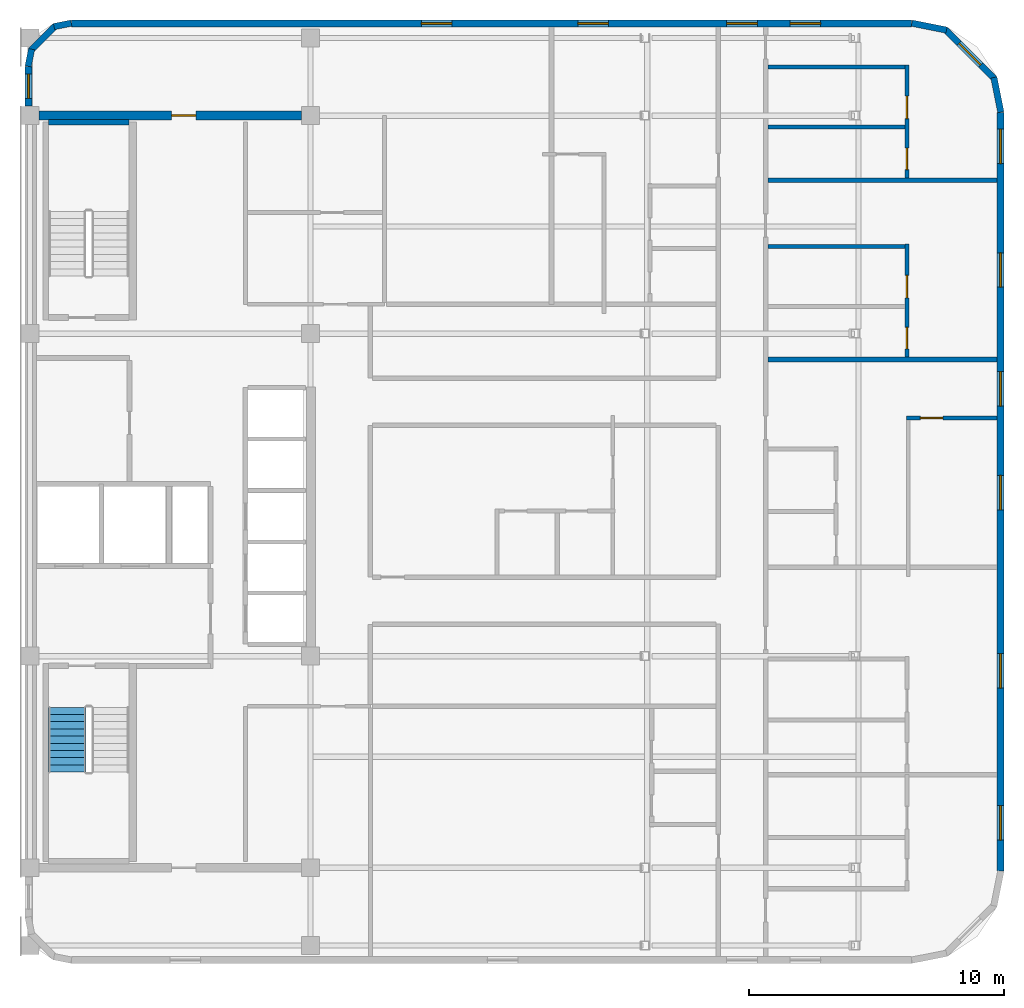
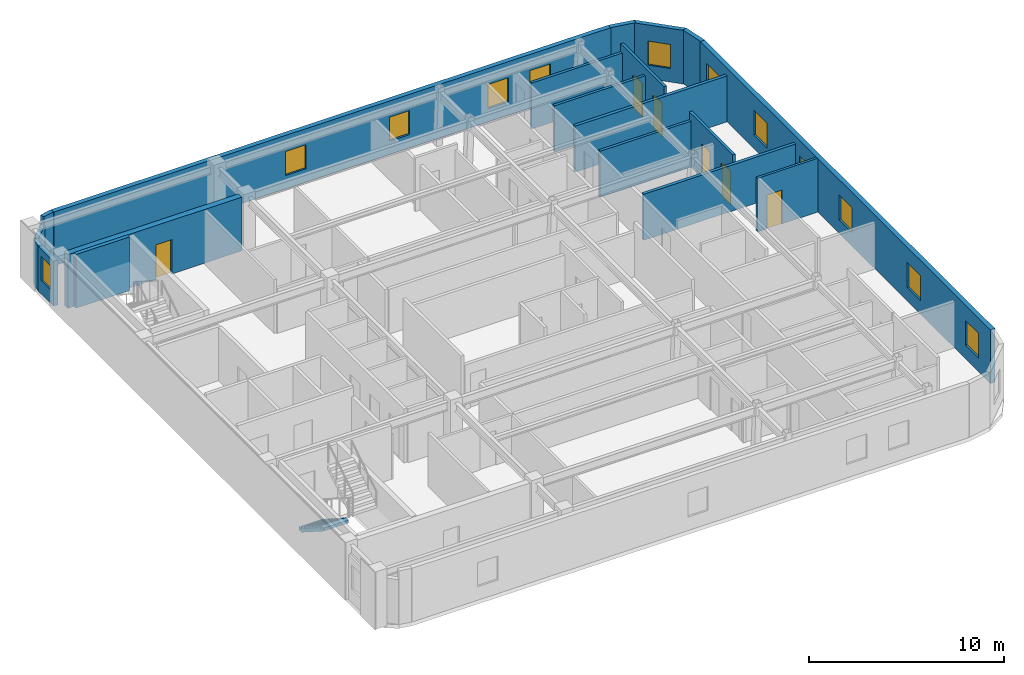
# One storey, part 5 of 7: 19 walls, 12 windows, 6 doors, 1 stair flight, 18 openings, 1 element without a shape of its own.
"""IFC4 building model written with IfcOpenShell, lengths in metres."""

from ifc_helpers import new_model, si_unit, direction, frame, frame_2d, origin, place, context, subcontext, project, spatial, polyline, rectangle, outline, extrude, material, layer, layer_set, type_object, element, fill, aggregate, save


model = new_model("IFC4")

# Units and contexts
model_context = context("Model", 3, precision=1e-05, world=origin(), true_north=direction((0.0, 1.0)))
body_context = subcontext(model_context, "Body", "Model", "MODEL_VIEW")
ifc_project = project(units=[si_unit("LENGTHUNIT", "METRE"), si_unit("AREAUNIT", "SQUARE_METRE"), si_unit("VOLUMEUNIT", "CUBIC_METRE"), si_unit("PLANEANGLEUNIT", "RADIAN"), si_unit("MASSUNIT", "GRAM", prefix="KILO")], contexts=[model_context])

# Site, building, storey
site_placement = place(None, origin())
site = spatial("IfcSite", under=ifc_project, at=site_placement, CompositionType="ELEMENT")
building_placement = place(site_placement, origin())
building = spatial("IfcBuilding", under=site, at=building_placement, Name="Ochreholt Gables", CompositionType="ELEMENT")
storey_placement = place(building_placement, frame((0.0, 0.0, 238.800048828125)))
storey = spatial("IfcBuildingStorey", under=building, at=storey_placement, Name="L62", CompositionType="ELEMENT", Elevation=238.800048828125)

# Wall, opening, door
ifc_material_1 = material(Name="Concrete 50 MPa", Category="concrete")
ifc_layer_1 = layer(ifc_material_1, 0.35009765625, Name="Concrete 50 MPa")
ifc_layer_set_1 = layer_set([ifc_layer_1], Name="Concrete 50 MPa")
wall_type_1 = type_object("IfcWallType", Name="WALL-CSW-350", PredefinedType="SHEAR", material=ifc_layer_set_1)
wall_1_placement = place(storey_placement, frame((24.550048828125, 38.75, 0.0), z_axis=(0.0, 0.0, 1.0), x_axis=(1.0, 0.0, 0.0)))
wall_1 = element("IfcWall", 1, at=wall_1_placement, inside=storey, type_object=wall_type_1, Name="L62 Core North Shear Wall", PredefinedType="SHEAR", context=body_context, shape_type="SweptSolid", body=[
    extrude(rectangle(XDim=10.300048828125, YDim=0.35009765625, at=frame_2d((5.14990234375, 0.0))), origin(), (0.0, 0.0, 1.0), 3.35986328125),
])
opening_1_placement = place(wall_1_placement, frame((5.199951171875, 0.0, 0.0)))
opening_1 = element("IfcOpeningElement", 2, at=opening_1_placement, cuts=wall_1, Name="Opening D-FL2", PredefinedType="OPENING", context=body_context, shape_type="SweptSolid", body=[
    extrude(rectangle(XDim=0.949951171875, YDim=2.14990234375, at=frame_2d((0.47509765625, 1.074951171875))), frame((0.0, 0.18505859375, 0.0), z_axis=(0.0, -1.0, 0.0), x_axis=(1.0, 0.0, 0.0)), (0.0, 0.0, 1.0), 0.3701171875),
])
ifc_material_2 = material(Name="Hollow Metal Steel", Category="steel")
door_type_1 = type_object("IfcDoorType", Name="DR-INT-FLB950", OperationType="NOTDEFINED", PredefinedType="DOOR", material=ifc_material_2)
door_1_placement = place(opening_1_placement, origin())
door_1 = element("IfcDoor", 3, at=door_1_placement, inside=storey, type_object=door_type_1, Name="L62 Door D-C3NSR-L62", OperationType="SINGLE_SWING_RIGHT", OverallHeight=2.14990234375, OverallWidth=0.949951171875, PredefinedType="DOOR", context=body_context, shape_type="SweptSolid", body=[
    extrude(rectangle(XDim=0.949951171875, YDim=2.14990234375, at=frame_2d((0.47509765625, 1.074951171875))), frame((0.0, 0.02490234375, 0.0), z_axis=(0.0, -1.0, 0.0), x_axis=(1.0, 0.0, 0.0)), (0.0, 0.0, 1.0), 0.050048828125),
])
fill(opening_1, door_1)

# Wall, openings, windows
ifc_material_3 = material(Name="Precast concrete 40 MPa", Category="concrete")
ifc_layer_2 = layer(ifc_material_3, 0.27001953125, Name="Precast concrete 40 MPa")
ifc_layer_set_2 = layer_set([ifc_layer_2], Name="Precast concrete 40 MPa")
wall_type_2 = type_object("IfcWallType", Name="WALL-EXT-270", PredefinedType="SOLIDWALL", material=ifc_layer_set_2)
wall_2_placement = place(storey_placement, frame((62.264892578125, 9.1201171875, 0.0), z_axis=(0.0, 0.0, 1.0), x_axis=(0.0, 1.0, 0.0)))
wall_2 = element("IfcWall", 4, at=wall_2_placement, inside=storey, type_object=wall_type_2, Name="L62 East Exterior Wall", PredefinedType="SOLIDWALL", context=body_context, shape_type="SweptSolid", body=[
    extrude(rectangle(XDim=29.759765625, YDim=0.27001953125, at=frame_2d((14.8798828125, 0.0))), origin(), (0.0, 0.0, 1.0), 3.35986328125),
])
opening_2_placement = place(wall_2_placement, frame((1.215087890625, 0.0, 0.85009765625)))
opening_2 = element("IfcOpeningElement", 5, at=opening_2_placement, cuts=wall_2, Name="Opening WN-8", PredefinedType="OPENING", context=body_context, shape_type="SweptSolid", body=[
    extrude(rectangle(XDim=1.35009765625, YDim=1.550048828125, at=frame_2d((0.675048828125, 0.77490234375))), frame((0.0, 0.14501953125, 0.0), z_axis=(0.0, -1.0, 0.0), x_axis=(1.0, 0.0, 0.0)), (0.0, 0.0, 1.0), 0.2900390625),
])
opening_3_placement = place(wall_2_placement, frame((7.175048828125, 0.0, 0.85009765625)))
opening_3 = element("IfcOpeningElement", 6, at=opening_3_placement, cuts=wall_2, Name="Opening WN-8", PredefinedType="OPENING", context=body_context, shape_type="SweptSolid", body=[
    extrude(rectangle(XDim=1.35009765625, YDim=1.550048828125, at=frame_2d((0.675048828125, 0.77490234375))), frame((0.0, 0.14501953125, 0.0), z_axis=(0.0, -1.0, 0.0), x_axis=(1.0, 0.0, 0.0)), (0.0, 0.0, 1.0), 0.2900390625),
])
opening_4_placement = place(wall_2_placement, frame((14.169921875, 0.0, 0.85009765625)))
opening_4 = element("IfcOpeningElement", 7, at=opening_4_placement, cuts=wall_2, Name="Opening WN-8", PredefinedType="OPENING", context=body_context, shape_type="SweptSolid", body=[
    extrude(rectangle(XDim=1.35009765625, YDim=1.550048828125, at=frame_2d((0.675048828125, 0.77490234375))), frame((0.0, 0.14501953125, 0.0), z_axis=(0.0, -1.0, 0.0), x_axis=(1.0, 0.0, 0.0)), (0.0, 0.0, 1.0), 0.2900390625),
])
opening_5_placement = place(wall_2_placement, frame((18.239990234375, 0.0, 0.85009765625)))
opening_5 = element("IfcOpeningElement", 8, at=opening_5_placement, cuts=wall_2, Name="Opening WN-8", PredefinedType="OPENING", context=body_context, shape_type="SweptSolid", body=[
    extrude(rectangle(XDim=1.35009765625, YDim=1.550048828125, at=frame_2d((0.675048828125, 0.77490234375))), frame((0.0, 0.14501953125, 0.0), z_axis=(0.0, -1.0, 0.0), x_axis=(1.0, 0.0, 0.0)), (0.0, 0.0, 1.0), 0.2900390625),
])
opening_6_placement = place(wall_2_placement, frame((22.89990234375, 0.0, 0.85009765625)))
opening_6 = element("IfcOpeningElement", 9, at=opening_6_placement, cuts=wall_2, Name="Opening WN-8", PredefinedType="OPENING", context=body_context, shape_type="SweptSolid", body=[
    extrude(rectangle(XDim=1.35009765625, YDim=1.550048828125, at=frame_2d((0.675048828125, 0.77490234375))), frame((0.0, 0.14501953125, 0.0), z_axis=(0.0, -1.0, 0.0), x_axis=(1.0, 0.0, 0.0)), (0.0, 0.0, 1.0), 0.2900390625),
])
opening_7_placement = place(wall_2_placement, frame((27.75, 0.0, 0.85009765625)))
opening_7 = element("IfcOpeningElement", 10, at=opening_7_placement, cuts=wall_2, Name="Opening WN-8", PredefinedType="OPENING", context=body_context, shape_type="SweptSolid", body=[
    extrude(rectangle(XDim=1.35009765625, YDim=1.550048828125, at=frame_2d((0.675048828125, 0.77490234375))), frame((0.0, 0.14501953125, 0.0), z_axis=(0.0, -1.0, 0.0), x_axis=(1.0, 0.0, 0.0)), (0.0, 0.0, 1.0), 0.2900390625),
])
ifc_material_4 = material(Name="Triple-Glazed Thermally Broken Aluminium Window", Category="aluminium")
window_type_1 = type_object("IfcWindowType", Name="WIN-RES-1350", PartitioningType="SINGLE_PANEL", PredefinedType="WINDOW", material=ifc_material_4)
window_1_placement = place(opening_2_placement, origin())
window_1 = element("IfcWindow", 11, at=window_1_placement, inside=storey, type_object=window_type_1, Name="L62 Window W-EXT-E-L62-1", OverallHeight=1.550048828125, OverallWidth=1.35009765625, PartitioningType="SINGLE_PANEL", PredefinedType="WINDOW", context=body_context, shape_type="SweptSolid", body=[
    extrude(rectangle(XDim=1.35009765625, YDim=1.550048828125, at=frame_2d((0.675048828125, 0.77490234375))), frame((0.0, 0.030029296875, 0.0), z_axis=(0.0, -1.0, 0.0), x_axis=(1.0, 0.0, 0.0)), (0.0, 0.0, 1.0), 0.06005859375),
])
fill(opening_2, window_1)
window_2_placement = place(opening_3_placement, origin())
window_2 = element("IfcWindow", 12, at=window_2_placement, inside=storey, type_object=window_type_1, Name="L62 Window W-EXT-E-L62-2", OverallHeight=1.550048828125, OverallWidth=1.35009765625, PartitioningType="SINGLE_PANEL", PredefinedType="WINDOW", context=body_context, shape_type="SweptSolid", body=[
    extrude(rectangle(XDim=1.35009765625, YDim=1.550048828125, at=frame_2d((0.675048828125, 0.77490234375))), frame((0.0, 0.030029296875, 0.0), z_axis=(0.0, -1.0, 0.0), x_axis=(1.0, 0.0, 0.0)), (0.0, 0.0, 1.0), 0.06005859375),
])
fill(opening_3, window_2)
window_3_placement = place(opening_4_placement, origin())
window_3 = element("IfcWindow", 13, at=window_3_placement, inside=storey, type_object=window_type_1, Name="L62 Window W-EXT-E-L62-3", OverallHeight=1.550048828125, OverallWidth=1.35009765625, PartitioningType="SINGLE_PANEL", PredefinedType="WINDOW", context=body_context, shape_type="SweptSolid", body=[
    extrude(rectangle(XDim=1.35009765625, YDim=1.550048828125, at=frame_2d((0.675048828125, 0.77490234375))), frame((0.0, 0.030029296875, 0.0), z_axis=(0.0, -1.0, 0.0), x_axis=(1.0, 0.0, 0.0)), (0.0, 0.0, 1.0), 0.06005859375),
])
fill(opening_4, window_3)
window_4_placement = place(opening_5_placement, origin())
window_4 = element("IfcWindow", 14, at=window_4_placement, inside=storey, type_object=window_type_1, Name="L62 Window W-EXT-E-L62-4", OverallHeight=1.550048828125, OverallWidth=1.35009765625, PartitioningType="SINGLE_PANEL", PredefinedType="WINDOW", context=body_context, shape_type="SweptSolid", body=[
    extrude(rectangle(XDim=1.35009765625, YDim=1.550048828125, at=frame_2d((0.675048828125, 0.77490234375))), frame((0.0, 0.030029296875, 0.0), z_axis=(0.0, -1.0, 0.0), x_axis=(1.0, 0.0, 0.0)), (0.0, 0.0, 1.0), 0.06005859375),
])
fill(opening_5, window_4)
window_5_placement = place(opening_6_placement, origin())
window_5 = element("IfcWindow", 15, at=window_5_placement, inside=storey, type_object=window_type_1, Name="L62 Window W-EXT-E-L62-5", OverallHeight=1.550048828125, OverallWidth=1.35009765625, PartitioningType="SINGLE_PANEL", PredefinedType="WINDOW", context=body_context, shape_type="SweptSolid", body=[
    extrude(rectangle(XDim=1.35009765625, YDim=1.550048828125, at=frame_2d((0.675048828125, 0.77490234375))), frame((0.0, 0.030029296875, 0.0), z_axis=(0.0, -1.0, 0.0), x_axis=(1.0, 0.0, 0.0)), (0.0, 0.0, 1.0), 0.06005859375),
])
fill(opening_6, window_5)
window_6_placement = place(opening_7_placement, origin())
window_6 = element("IfcWindow", 16, at=window_6_placement, inside=storey, type_object=window_type_1, Name="L62 Window W-EXT-E-L62-6", OverallHeight=1.550048828125, OverallWidth=1.35009765625, PartitioningType="SINGLE_PANEL", PredefinedType="WINDOW", context=body_context, shape_type="SweptSolid", body=[
    extrude(rectangle(XDim=1.35009765625, YDim=1.550048828125, at=frame_2d((0.675048828125, 0.77490234375))), frame((0.0, 0.030029296875, 0.0), z_axis=(0.0, -1.0, 0.0), x_axis=(1.0, 0.0, 0.0)), (0.0, 0.0, 1.0), 0.06005859375),
])
fill(opening_7, window_6)

wall_3_placement = place(storey_placement, frame((58.780029296875, 42.364990234375, 0.0), z_axis=(0.0, 0.0, 1.0), x_axis=(-1.0, 0.0, 0.0)))
wall_3 = element("IfcWall", 17, at=wall_3_placement, inside=storey, type_object=wall_type_2, Name="L62 North Exterior Wall", PredefinedType="SOLIDWALL", context=body_context, shape_type="SweptSolid", body=[
    extrude(rectangle(XDim=32.9599609375, YDim=0.27001953125, at=frame_2d((16.47998046875, 0.0))), origin(), (0.0, 0.0, 1.0), 3.35986328125),
])
opening_8_placement = place(wall_3_placement, frame((18.034912109375, 0.0, 0.85009765625)))
opening_8 = element("IfcOpeningElement", 18, at=opening_8_placement, cuts=wall_3, Name="Opening WN-3", PredefinedType="OPENING", context=body_context, shape_type="SweptSolid", body=[
    extrude(rectangle(XDim=1.199951171875, YDim=1.5, at=frame_2d((0.60009765625, 0.75))), frame((0.0, 0.14501953125, 0.0), z_axis=(0.0, -1.0, 0.0), x_axis=(1.0, 0.0, 0.0)), (0.0, 0.0, 1.0), 0.2900390625),
])
opening_9_placement = place(wall_3_placement, frame((11.896484375, 0.0, 0.85009765625)))
opening_9 = element("IfcOpeningElement", 19, at=opening_9_placement, cuts=wall_3, Name="Opening WN-3", PredefinedType="OPENING", context=body_context, shape_type="SweptSolid", body=[
    extrude(rectangle(XDim=1.199951171875, YDim=1.5, at=frame_2d((0.60009765625, 0.75))), frame((0.0, 0.14501953125, 0.0), z_axis=(0.0, -1.0, 0.0), x_axis=(1.0, 0.0, 0.0)), (0.0, 0.0, 1.0), 0.2900390625),
])
opening_10_placement = place(wall_3_placement, frame((6.054931640625, 0.0, 0.85009765625)))
opening_10 = element("IfcOpeningElement", 20, at=opening_10_placement, cuts=wall_3, Name="Opening WN-3", PredefinedType="OPENING", context=body_context, shape_type="SweptSolid", body=[
    extrude(rectangle(XDim=1.199951171875, YDim=1.5, at=frame_2d((0.60009765625, 0.75))), frame((0.0, 0.14501953125, 0.0), z_axis=(0.0, -1.0, 0.0), x_axis=(1.0, 0.0, 0.0)), (0.0, 0.0, 1.0), 0.2900390625),
])
opening_11_placement = place(wall_3_placement, frame((3.569091796875, 0.0, 0.85009765625)))
opening_11 = element("IfcOpeningElement", 21, at=opening_11_placement, cuts=wall_3, Name="Opening WN-3", PredefinedType="OPENING", context=body_context, shape_type="SweptSolid", body=[
    extrude(rectangle(XDim=1.199951171875, YDim=1.5, at=frame_2d((0.60009765625, 0.75))), frame((0.0, 0.14501953125, 0.0), z_axis=(0.0, -1.0, 0.0), x_axis=(1.0, 0.0, 0.0)), (0.0, 0.0, 1.0), 0.2900390625),
])
window_type_2 = type_object("IfcWindowType", Name="WIN-RES-1200", PartitioningType="SINGLE_PANEL", PredefinedType="WINDOW", material=ifc_material_4)
window_7_placement = place(opening_8_placement, origin())
window_7 = element("IfcWindow", 22, at=window_7_placement, inside=storey, type_object=window_type_2, Name="L62 Window W-EXT-N-L62-1", OverallHeight=1.5, OverallWidth=1.199951171875, PartitioningType="SINGLE_PANEL", PredefinedType="WINDOW", context=body_context, shape_type="SweptSolid", body=[
    extrude(rectangle(XDim=1.199951171875, YDim=1.5, at=frame_2d((0.60009765625, 0.75))), frame((0.0, 0.030029296875, 0.0), z_axis=(0.0, -1.0, 0.0), x_axis=(1.0, 0.0, 0.0)), (0.0, 0.0, 1.0), 0.06005859375),
])
fill(opening_8, window_7)
window_8_placement = place(opening_9_placement, origin())
window_8 = element("IfcWindow", 23, at=window_8_placement, inside=storey, type_object=window_type_2, Name="L62 Window W-EXT-N-L62-2", OverallHeight=1.5, OverallWidth=1.199951171875, PartitioningType="SINGLE_PANEL", PredefinedType="WINDOW", context=body_context, shape_type="SweptSolid", body=[
    extrude(rectangle(XDim=1.199951171875, YDim=1.5, at=frame_2d((0.60009765625, 0.75))), frame((0.0, 0.030029296875, 0.0), z_axis=(0.0, -1.0, 0.0), x_axis=(1.0, 0.0, 0.0)), (0.0, 0.0, 1.0), 0.06005859375),
])
fill(opening_9, window_8)
window_9_placement = place(opening_10_placement, origin())
window_9 = element("IfcWindow", 24, at=window_9_placement, inside=storey, type_object=window_type_2, Name="L62 Window W-EXT-N-L62-3", OverallHeight=1.5, OverallWidth=1.199951171875, PartitioningType="SINGLE_PANEL", PredefinedType="WINDOW", context=body_context, shape_type="SweptSolid", body=[
    extrude(rectangle(XDim=1.199951171875, YDim=1.5, at=frame_2d((0.60009765625, 0.75))), frame((0.0, 0.030029296875, 0.0), z_axis=(0.0, -1.0, 0.0), x_axis=(1.0, 0.0, 0.0)), (0.0, 0.0, 1.0), 0.06005859375),
])
fill(opening_10, window_9)
window_10_placement = place(opening_11_placement, origin())
window_10 = element("IfcWindow", 25, at=window_10_placement, inside=storey, type_object=window_type_2, Name="L62 Window W-EXT-N-L62-4", OverallHeight=1.5, OverallWidth=1.199951171875, PartitioningType="SINGLE_PANEL", PredefinedType="WINDOW", context=body_context, shape_type="SweptSolid", body=[
    extrude(rectangle(XDim=1.199951171875, YDim=1.5, at=frame_2d((0.60009765625, 0.75))), frame((0.0, 0.030029296875, 0.0), z_axis=(0.0, -1.0, 0.0), x_axis=(1.0, 0.0, 0.0)), (0.0, 0.0, 1.0), 0.06005859375),
])
fill(opening_11, window_10)

# Wall, opening, window
wall_4_placement = place(storey_placement, frame((24.135009765625, 39.1201171875, 0.0), z_axis=(0.0, 0.0, 1.0), x_axis=(0.0, 1.0, 0.0)))
wall_4 = element("IfcWall", 26, at=wall_4_placement, inside=storey, type_object=wall_type_2, Name="L62 West Facade North Bay Wall", PredefinedType="SOLIDWALL", context=body_context, shape_type="SweptSolid", body=[
    extrude(rectangle(XDim=1.559814453125, YDim=0.27001953125, at=frame_2d((0.77978515625, 0.0))), origin(), (0.0, 0.0, 1.0), 2.802978515625),
])
opening_12_placement = place(wall_4_placement, frame((0.304931640625, 0.0, 0.85009765625)))
opening_12 = element("IfcOpeningElement", 27, at=opening_12_placement, cuts=wall_4, Name="Opening WN-10", PredefinedType="OPENING", context=body_context, shape_type="SweptSolid", body=[
    extrude(rectangle(XDim=0.949951171875, YDim=1.5, at=frame_2d((0.47509765625, 0.75))), frame((0.0, 0.14501953125, 0.0), z_axis=(0.0, -1.0, 0.0), x_axis=(1.0, 0.0, 0.0)), (0.0, 0.0, 1.0), 0.2900390625),
])
window_type_3 = type_object("IfcWindowType", Name="WIN-RES-950", PartitioningType="SINGLE_PANEL", PredefinedType="WINDOW", material=ifc_material_4)
window_11_placement = place(opening_12_placement, origin())
window_11 = element("IfcWindow", 28, at=window_11_placement, inside=storey, type_object=window_type_3, Name="L62 North Sky Reading West Window", OverallHeight=1.5, OverallWidth=0.949951171875, PartitioningType="SINGLE_PANEL", PredefinedType="WINDOW", context=body_context, shape_type="SweptSolid", body=[
    extrude(rectangle(XDim=0.949951171875, YDim=1.5, at=frame_2d((0.47509765625, 0.75))), frame((0.0, 0.030029296875, 0.0), z_axis=(0.0, -1.0, 0.0), x_axis=(1.0, 0.0, 0.0)), (0.0, 0.0, 1.0), 0.06005859375),
])
fill(opening_12, window_11)

# Wall
ifc_layer_3 = layer(ifc_material_3, 0.25, Name="Precast concrete 40 MPa")
ifc_layer_set_3 = layer_set([ifc_layer_3], Name="Precast concrete 40 MPa")
wall_type_3 = type_object("IfcWallType", Name="WALL-EXT-CNR", PredefinedType="SOLIDWALL", material=ifc_layer_set_3)
wall_5_placement = place(storey_placement, frame((62.27587890625, 38.883544921875, 0.0), z_axis=(0.0, 0.0, 1.0), x_axis=(-0.195135625965, 0.9807762678, 0.0)))
element("IfcWall", 29, at=wall_5_placement, inside=storey, type_object=wall_type_3, Name="L62 Rounded Corner Wall NE-1", PredefinedType="SOLIDWALL", context=body_context, shape_type="SweptSolid", body=[
    extrude(rectangle(XDim=1.388671875, YDim=0.25, at=frame_2d((0.6943359375, 0.0))), origin(), (0.0, 0.0, 1.0), 3.35986328125),
])

# Wall, opening, window
wall_6_placement = place(storey_placement, frame((62.031982421875, 40.195068359375, 0.0), z_axis=(0.0, 0.0, 1.0), x_axis=(-0.707106781187, 0.707106781187, 0.0)))
wall_6 = element("IfcWall", 30, at=wall_6_placement, inside=storey, type_object=wall_type_3, Name="L62 Rounded Corner Wall NE-2", PredefinedType="SOLIDWALL", context=body_context, shape_type="SweptSolid", body=[
    extrude(rectangle(XDim=2.7392578125, YDim=0.25, at=frame_2d((1.36962890625, 0.0))), origin(), (0.0, 0.0, 1.0), 3.35986328125),
])
opening_13_placement = place(wall_6_placement, frame((0.769775390625, 0.0, 0.85009765625)))
opening_13 = element("IfcOpeningElement", 31, at=opening_13_placement, cuts=wall_6, Name="Opening WN-3", PredefinedType="OPENING", context=body_context, shape_type="SweptSolid", body=[
    extrude(rectangle(XDim=1.199951171875, YDim=1.5, at=frame_2d((0.60009765625, 0.75))), frame((0.0, 0.135009765625, 0.0), z_axis=(0.0, -1.0, 0.0), x_axis=(1.0, 0.0, 0.0)), (0.0, 0.0, 1.0), 0.27001953125),
])
window_12_placement = place(opening_13_placement, origin())
window_12 = element("IfcWindow", 32, at=window_12_placement, inside=storey, type_object=window_type_2, Name="L62 Corner Bedroom Window NE", OverallHeight=1.5, OverallWidth=1.199951171875, PartitioningType="SINGLE_PANEL", PredefinedType="WINDOW", context=body_context, shape_type="SweptSolid", body=[
    extrude(rectangle(XDim=1.199951171875, YDim=1.5, at=frame_2d((0.60009765625, 0.75))), frame((0.0, 0.030029296875, 0.0), z_axis=(0.0, -1.0, 0.0), x_axis=(1.0, 0.0, 0.0)), (0.0, 0.0, 1.0), 0.06005859375),
])
fill(opening_13, window_12)

# Walls
wall_7_placement = place(storey_placement, frame((60.1455078125, 42.10498046875, 0.0), z_axis=(0.0, 0.0, 1.0), x_axis=(-0.980809899341, 0.19496651342, 0.0)))
element("IfcWall", 33, at=wall_7_placement, inside=storey, type_object=wall_type_3, Name="L62 Rounded Corner Wall NE-3", PredefinedType="SOLIDWALL", context=body_context, shape_type="SweptSolid", body=[
    extrude(rectangle(XDim=1.388671875, YDim=0.25, at=frame_2d((0.6943359375, 0.0))), origin(), (0.0, 0.0, 1.0), 3.35986328125),
])
wall_8_placement = place(storey_placement, frame((25.81640625, 42.375732421875, 0.0), z_axis=(0.0, 0.0, 1.0), x_axis=(-0.980812594069, -0.194952956674, 0.0)))
element("IfcWall", 34, at=wall_8_placement, inside=storey, type_object=wall_type_3, Name="L62 Rounded Corner Wall NW-1", PredefinedType="SOLIDWALL", context=body_context, shape_type="SweptSolid", body=[
    extrude(rectangle(XDim=0.686279296875, YDim=0.25, at=frame_2d((0.34326171875, 0.0))), origin(), (0.0, 0.0, 1.0), 3.35986328125),
])
wall_9_placement = place(storey_placement, frame((25.19384765625, 42.26904296875, 0.0), z_axis=(0.0, 0.0, 1.0), x_axis=(-0.707106781187, -0.707106781187, 0.0)))
element("IfcWall", 35, at=wall_9_placement, inside=storey, type_object=wall_type_3, Name="L62 Rounded Corner Wall NW-2", PredefinedType="SOLIDWALL", context=body_context, shape_type="SweptSolid", body=[
    extrude(rectangle(XDim=1.36181640625, YDim=0.25, at=frame_2d((0.680908203125, 0.0))), origin(), (0.0, 0.0, 1.0), 2.802978515625),
])
wall_10_placement = place(storey_placement, frame((24.258056640625, 41.356689453125, 0.0), z_axis=(0.0, 0.0, 1.0), x_axis=(-0.194952956674, -0.980812594069, 0.0)))
element("IfcWall", 36, at=wall_10_placement, inside=storey, type_object=wall_type_3, Name="L62 Rounded Corner Wall NW-3", PredefinedType="SOLIDWALL", context=body_context, shape_type="SweptSolid", body=[
    extrude(rectangle(XDim=0.686279296875, YDim=0.25, at=frame_2d((0.34326171875, 0.0))), origin(), (0.0, 0.0, 1.0), 2.802978515625),
])
ifc_material_5 = material(Name="Double-Stud Acoustic Demising Wall", Category="gypsum")
ifc_layer_4 = layer(ifc_material_5, 0.18505859375, Name="Double-Stud Acoustic Demising Wall")
ifc_layer_set_4 = layer_set([ifc_layer_4], Name="Double-Stud Acoustic Demising Wall")
wall_type_4 = type_object("IfcWallType", Name="WALL-INT-DM185", PredefinedType="PARTITIONING", material=ifc_layer_set_4)
for number, where, z_axis, x_axis, name in (
    (37, (53.139892578125, 29.179931640625, 0.0), (0.0, 0.0, 1.0), (1.0, 0.0, 0.0), "L62 Interior Wall WI-C3UDE4-L62"),
    (38, (53.139892578125, 36.2099609375, 0.0), (0.0, 0.0, 1.0), (1.0, 0.0, 0.0), "L62 Interior Wall WI-C3UDE5-L62"),
):
    element("IfcWall", number, at=place(storey_placement, frame(where, z_axis=z_axis, x_axis=x_axis)), inside=storey, type_object=wall_type_4, Name=name, PredefinedType="PARTITIONING", context=body_context, shape_type="SweptSolid", body=[
        extrude(rectangle(XDim=8.989990234375, YDim=0.18505859375, at=frame_2d((4.4951171875, 0.0))), origin(), (0.0, 0.0, 1.0), 2.87890625),
    ])
ifc_material_6 = material(Name="Moisture-Resistant Plumbing Chase Wall", Category="gypsum")
ifc_layer_5 = layer(ifc_material_6, 0.159912109375, Name="Moisture-Resistant Plumbing Chase Wall")
ifc_layer_set_5 = layer_set([ifc_layer_5], Name="Moisture-Resistant Plumbing Chase Wall")
wall_type_5 = type_object("IfcWallType", Name="WALL-INT-PL160", PredefinedType="PLUMBINGWALL", material=ifc_layer_set_5)
wall_11_placement = place(storey_placement, frame((53.139892578125, 33.6201171875, 0.0), z_axis=(0.0, 0.0, 1.0), x_axis=(1.0, 0.0, 0.0)))
element("IfcWall", 39, at=wall_11_placement, inside=storey, type_object=wall_type_5, Name="L62 Interior Wall WU-L62E4-WYN", PredefinedType="PLUMBINGWALL", context=body_context, shape_type="SweptSolid", body=[
    extrude(rectangle(XDim=5.530029296875, YDim=0.159912109375, at=frame_2d((2.76513671875, 0.0))), origin(), (0.0, 0.0, 1.0), 2.87890625),
])

# Wall, openings, doors
wall_12_placement = place(storey_placement, frame((58.590087890625, 29.2724609375, 0.0), z_axis=(0.0, 0.0, 1.0), x_axis=(0.0, 1.0, 0.0)))
wall_12 = element("IfcWall", 40, at=wall_12_placement, inside=storey, type_object=wall_type_5, Name="L62 Interior Wall WU-L62E4-WX", PredefinedType="PLUMBINGWALL", context=body_context, shape_type="SweptSolid", body=[
    extrude(rectangle(XDim=4.4375, YDim=0.159912109375, at=frame_2d((2.21875, 0.0))), origin(), (0.0, 0.0, 1.0), 3.35986328125),
])
opening_14_placement = place(wall_12_placement, frame((0.327392578125, 0.0, 0.0)))
opening_14 = element("IfcOpeningElement", 41, at=opening_14_placement, cuts=wall_12, Name="Opening D-BT2", PredefinedType="OPENING", context=body_context, shape_type="SweptSolid", body=[
    extrude(rectangle(XDim=0.840087890625, YDim=2.1201171875, at=frame_2d((0.419921875, 1.06005859375))), frame((0.0, 0.08984375, 0.0), z_axis=(0.0, -1.0, 0.0), x_axis=(1.0, 0.0, 0.0)), (0.0, 0.0, 1.0), 0.179931640625),
])
opening_15_placement = place(wall_12_placement, frame((2.32861328125, 0.0, 0.0)))
opening_15 = element("IfcOpeningElement", 42, at=opening_15_placement, cuts=wall_12, Name="Opening D-GN2", PredefinedType="OPENING", context=body_context, shape_type="SweptSolid", body=[
    extrude(rectangle(XDim=0.8798828125, YDim=2.1201171875, at=frame_2d((0.43994140625, 1.06005859375))), frame((0.0, 0.08984375, 0.0), z_axis=(0.0, -1.0, 0.0), x_axis=(1.0, 0.0, 0.0)), (0.0, 0.0, 1.0), 0.179931640625),
])
ifc_material_7 = material(Name="Engineered Oak Timber", Category="wood")
door_type_2 = type_object("IfcDoorType", Name="DR-INT-BTH840", OperationType="NOTDEFINED", PredefinedType="DOOR", material=ifc_material_7)
door_2_placement = place(opening_14_placement, origin())
door_2 = element("IfcDoor", 43, at=door_2_placement, inside=storey, type_object=door_type_2, Name="L62 Door D-U-L62E4-BTH", OperationType="SINGLE_SWING_RIGHT", OverallHeight=2.1201171875, OverallWidth=0.840087890625, PredefinedType="DOOR", context=body_context, shape_type="SweptSolid", body=[
    extrude(rectangle(XDim=0.840087890625, YDim=2.1201171875, at=frame_2d((0.419921875, 1.06005859375))), frame((0.0, 0.02490234375, 0.0), z_axis=(0.0, -1.0, 0.0), x_axis=(1.0, 0.0, 0.0)), (0.0, 0.0, 1.0), 0.050048828125),
])
fill(opening_14, door_2)
door_type_3 = type_object("IfcDoorType", Name="DR-INT-GEN880", OperationType="NOTDEFINED", PredefinedType="DOOR", material=ifc_material_7)
door_3_placement = place(opening_15_placement, origin())
door_3 = element("IfcDoor", 44, at=door_3_placement, inside=storey, type_object=door_type_3, Name="L62 Door D-U-L62E4-KIT", OperationType="SINGLE_SWING_LEFT", OverallHeight=2.1201171875, OverallWidth=0.8798828125, PredefinedType="DOOR", context=body_context, shape_type="SweptSolid", body=[
    extrude(rectangle(XDim=0.8798828125, YDim=2.1201171875, at=frame_2d((0.43994140625, 1.06005859375))), frame((0.0, 0.02490234375, 0.0), z_axis=(0.0, -1.0, 0.0), x_axis=(1.0, 0.0, 0.0)), (0.0, 0.0, 1.0), 0.050048828125),
])
fill(opening_15, door_3)

# Wall
wall_13_placement = place(storey_placement, frame((53.139892578125, 40.64990234375, 0.0), z_axis=(0.0, 0.0, 1.0), x_axis=(1.0, 0.0, 0.0)))
element("IfcWall", 45, at=wall_13_placement, inside=storey, type_object=wall_type_5, Name="L62 Interior Wall WU-L62E5-WYN", PredefinedType="PLUMBINGWALL", context=body_context, shape_type="SweptSolid", body=[
    extrude(rectangle(XDim=5.530029296875, YDim=0.159912109375, at=frame_2d((2.76513671875, 0.0))), origin(), (0.0, 0.0, 1.0), 2.87890625),
])

# Wall, openings, doors
wall_14_placement = place(storey_placement, frame((58.590087890625, 36.302490234375, 0.0), z_axis=(0.0, 0.0, 1.0), x_axis=(0.0, 1.0, 0.0)))
wall_14 = element("IfcWall", 46, at=wall_14_placement, inside=storey, type_object=wall_type_5, Name="L62 Interior Wall WU-L62E5-WX", PredefinedType="PLUMBINGWALL", context=body_context, shape_type="SweptSolid", body=[
    extrude(rectangle(XDim=4.4375, YDim=0.159912109375, at=frame_2d((2.21875, 0.0))), origin(), (0.0, 0.0, 1.0), 3.35986328125),
])
opening_16_placement = place(wall_14_placement, frame((0.327392578125, 0.0, 0.0)))
opening_16 = element("IfcOpeningElement", 47, at=opening_16_placement, cuts=wall_14, Name="Opening D-BT2", PredefinedType="OPENING", context=body_context, shape_type="SweptSolid", body=[
    extrude(rectangle(XDim=0.840087890625, YDim=2.1201171875, at=frame_2d((0.419921875, 1.06005859375))), frame((0.0, 0.08984375, 0.0), z_axis=(0.0, -1.0, 0.0), x_axis=(1.0, 0.0, 0.0)), (0.0, 0.0, 1.0), 0.179931640625),
])
opening_17_placement = place(wall_14_placement, frame((2.32861328125, 0.0, 0.0)))
opening_17 = element("IfcOpeningElement", 48, at=opening_17_placement, cuts=wall_14, Name="Opening D-GN2", PredefinedType="OPENING", context=body_context, shape_type="SweptSolid", body=[
    extrude(rectangle(XDim=0.8798828125, YDim=2.1201171875, at=frame_2d((0.43994140625, 1.06005859375))), frame((0.0, 0.08984375, 0.0), z_axis=(0.0, -1.0, 0.0), x_axis=(1.0, 0.0, 0.0)), (0.0, 0.0, 1.0), 0.179931640625),
])
door_4_placement = place(opening_16_placement, origin())
door_4 = element("IfcDoor", 49, at=door_4_placement, inside=storey, type_object=door_type_2, Name="L62 Door D-U-L62E5-BTH", OperationType="SINGLE_SWING_LEFT", OverallHeight=2.1201171875, OverallWidth=0.840087890625, PredefinedType="DOOR", context=body_context, shape_type="SweptSolid", body=[
    extrude(rectangle(XDim=0.840087890625, YDim=2.1201171875, at=frame_2d((0.419921875, 1.06005859375))), frame((0.0, 0.02490234375, 0.0), z_axis=(0.0, -1.0, 0.0), x_axis=(1.0, 0.0, 0.0)), (0.0, 0.0, 1.0), 0.050048828125),
])
fill(opening_16, door_4)
door_5_placement = place(opening_17_placement, origin())
door_5 = element("IfcDoor", 50, at=door_5_placement, inside=storey, type_object=door_type_3, Name="L62 Door D-U-L62E5-KIT", OperationType="SINGLE_SWING_RIGHT", OverallHeight=2.1201171875, OverallWidth=0.8798828125, PredefinedType="DOOR", context=body_context, shape_type="SweptSolid", body=[
    extrude(rectangle(XDim=0.8798828125, YDim=2.1201171875, at=frame_2d((0.43994140625, 1.06005859375))), frame((0.0, 0.02490234375, 0.0), z_axis=(0.0, -1.0, 0.0), x_axis=(1.0, 0.0, 0.0)), (0.0, 0.0, 1.0), 0.050048828125),
])
fill(opening_17, door_5)

# Wall
wall_15_placement = place(storey_placement, frame((53.139892578125, 38.301025390625, 0.0), z_axis=(0.0, 0.0, 1.0), x_axis=(1.0, 0.0, 0.0)))
element("IfcWall", 51, at=wall_15_placement, inside=storey, type_object=wall_type_5, Name="L62 Interior Wall WU-L62E5-WM", PredefinedType="PLUMBINGWALL", context=body_context, shape_type="SweptSolid", body=[
    extrude(rectangle(XDim=5.3701171875, YDim=0.159912109375, at=frame_2d((2.68505859375, 0.0))), origin(), (0.0, 0.0, 1.0), 2.87890625),
])

# Wall, opening, door
ifc_material_8 = material(Name="Lightweight Stud Partition", Category="gypsum")
ifc_layer_6 = layer(ifc_material_8, 0.14501953125, Name="Lightweight Stud Partition")
ifc_layer_set_6 = layer_set([ifc_layer_6], Name="Lightweight Stud Partition")
wall_type_6 = type_object("IfcWallType", Name="WALL-INT-PT145", PredefinedType="PARTITIONING", material=ifc_layer_set_6)
wall_16_placement = place(storey_placement, frame((58.570068359375, 26.889892578125, 0.0), z_axis=(0.0, 0.0, 1.0), x_axis=(1.0, 0.0, 0.0)))
wall_16 = element("IfcWall", 52, at=wall_16_placement, inside=storey, type_object=wall_type_6, Name="L62 Interior Wall WU-L62E3-STN", PredefinedType="PARTITIONING", context=body_context, shape_type="SweptSolid", body=[
    extrude(rectangle(XDim=3.559814453125, YDim=0.14501953125, at=frame_2d((1.77978515625, 0.0))), origin(), (0.0, 0.0, 1.0), 3.35986328125),
])
opening_18_placement = place(wall_16_placement, frame((0.550048828125, 0.0, 0.0)))
opening_18 = element("IfcOpeningElement", 53, at=opening_18_placement, cuts=wall_16, Name="Opening D-GN2", PredefinedType="OPENING", context=body_context, shape_type="SweptSolid", body=[
    extrude(rectangle(XDim=0.8798828125, YDim=2.1201171875, at=frame_2d((0.43994140625, 1.06005859375))), frame((0.0, 0.08251953125, 0.0), z_axis=(0.0, -1.0, 0.0), x_axis=(1.0, 0.0, 0.0)), (0.0, 0.0, 1.0), 0.1650390625),
])
door_6_placement = place(opening_18_placement, origin())
door_6 = element("IfcDoor", 54, at=door_6_placement, inside=storey, type_object=door_type_3, Name="L62 Door D-U-L62E3-STD", OperationType="SINGLE_SWING_LEFT", OverallHeight=2.1201171875, OverallWidth=0.8798828125, PredefinedType="DOOR", context=body_context, shape_type="SweptSolid", body=[
    extrude(rectangle(XDim=0.8798828125, YDim=2.1201171875, at=frame_2d((0.43994140625, 1.06005859375))), frame((0.0, 0.02490234375, 0.0), z_axis=(0.0, -1.0, 0.0), x_axis=(1.0, 0.0, 0.0)), (0.0, 0.0, 1.0), 0.050048828125),
])
fill(opening_18, door_6)

# Wall
ifc_layer_7 = layer(ifc_material_1, 0.219970703125, Name="Concrete 50 MPa")
ifc_layer_set_7 = layer_set([ifc_layer_7], Name="Concrete 50 MPa")
wall_type_7 = type_object("IfcWallType", Name="WALL-STW-220", PredefinedType="SHEAR", material=ifc_layer_set_7)
wall_17_placement = place(storey_placement, frame((24.919921875, 38.489990234375, 0.0), z_axis=(0.0, 0.0, 1.0), x_axis=(1.0, 0.0, 0.0)))
element("IfcWall", 55, at=wall_17_placement, inside=storey, type_object=wall_type_7, Name="L62 Exit Stair 2 North Wall", PredefinedType="SHEAR", context=body_context, shape_type="SweptSolid", body=[
    extrude(rectangle(XDim=3.16015625, YDim=0.219970703125, at=frame_2d((1.580078125, 0.0))), origin(), (0.0, 0.0, 1.0), 3.35986328125),
])

# Stair, stair flight
ifc_material_9 = material(Name="Concrete 40 MPa", Category="concrete")
stair_type = type_object("IfcStairType", Name="STAIR-CORE-ST-1", PredefinedType="HALF_TURN_STAIR", material=ifc_material_9)
stair_placement = place(storey_placement, origin())
stair = element("IfcStair", 56, at=stair_placement, inside=storey, type_object=stair_type, Name="L62 Core Exit Stair 1", PredefinedType="HALF_TURN_STAIR")
stair_flight_type = type_object("IfcStairFlightType", Name="FLIGHT-ST-1480-1800", PredefinedType="STRAIGHT", material=ifc_material_9)
stair_flight_placement = place(storey_placement, frame((25.659912109375, 15.5400390625, 0.0), z_axis=(0.0, 0.0, 1.0), x_axis=(0.0, -1.0, 0.0)))
stair_flight = element("IfcStairFlight", 57, at=stair_flight_placement, type_object=stair_flight_type, Name="ST-1 flight 1", NumberOfRisers=10, NumberOfTreads=9, PredefinedType="STRAIGHT", RiserHeight=0.18, TreadLength=0.282, context=body_context, shape_type="SweptSolid", body=[
    extrude(outline(polyline([(0.0, 0.0), (0.0, 0.179931640625), (0.281982421875, 0.179931640625), (0.281982421875, 0.360107421875), (0.56396484375, 0.360107421875), (0.56396484375, 0.5400390625), (0.845947265625, 0.5400390625), (0.845947265625, 0.719970703125), (1.1279296875, 0.719970703125), (1.1279296875, 0.89990234375), (1.409912109375, 0.89990234375), (1.409912109375, 1.080078125), (1.69189453125, 1.080078125), (1.69189453125, 1.260009765625), (1.97412109375, 1.260009765625), (1.97412109375, 1.43994140625), (2.256103515625, 1.43994140625), (2.256103515625, 1.6201171875), (2.5380859375, 1.6201171875), (2.5380859375, 1.800048828125), (2.5380859375, 1.442138671875), (0.278564453125, 0.0), (0.0, 0.0)])), frame((0.0, 0.739990234375, 0.0), z_axis=(0.0, -1.0, 0.0), x_axis=(1.0, 0.0, 0.0)), (0.0, 0.0, 1.0), 1.47998046875),
])
aggregate(stair, [stair_flight])

save(model, "model.ifc")
